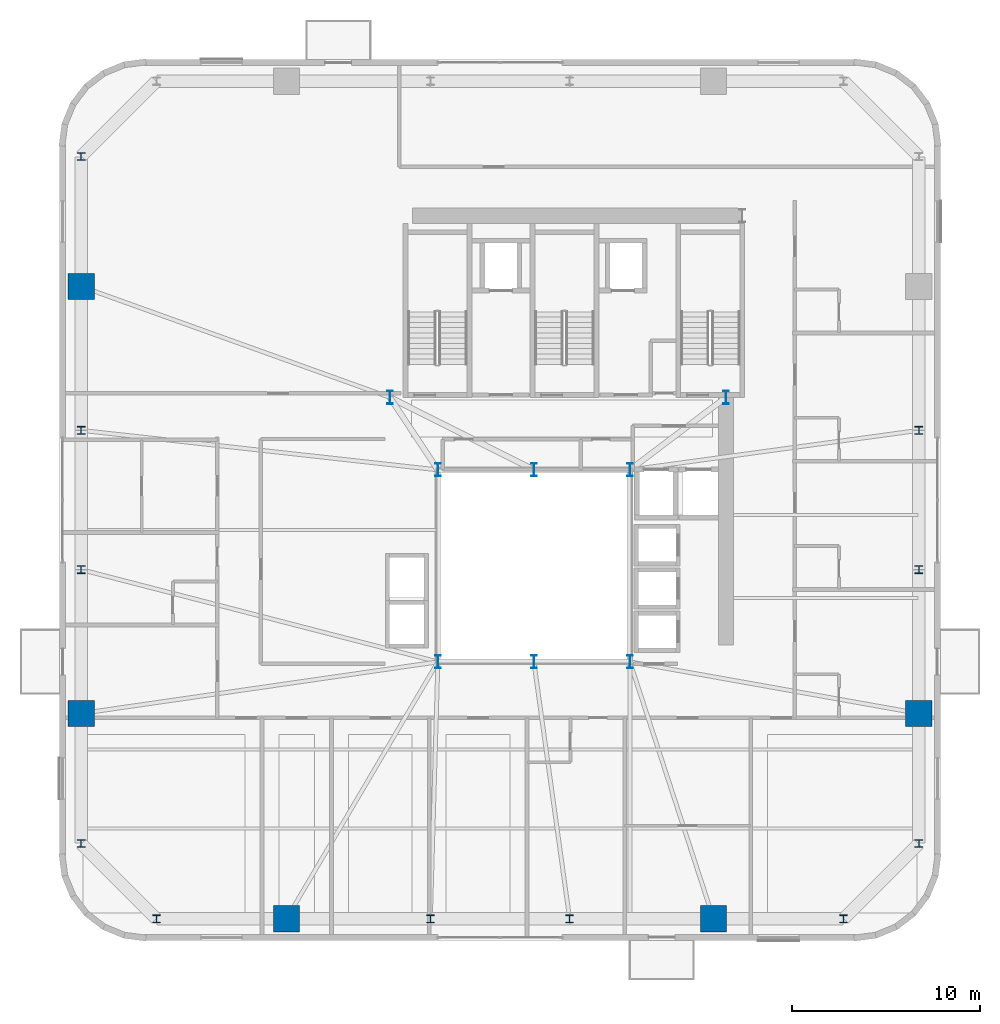
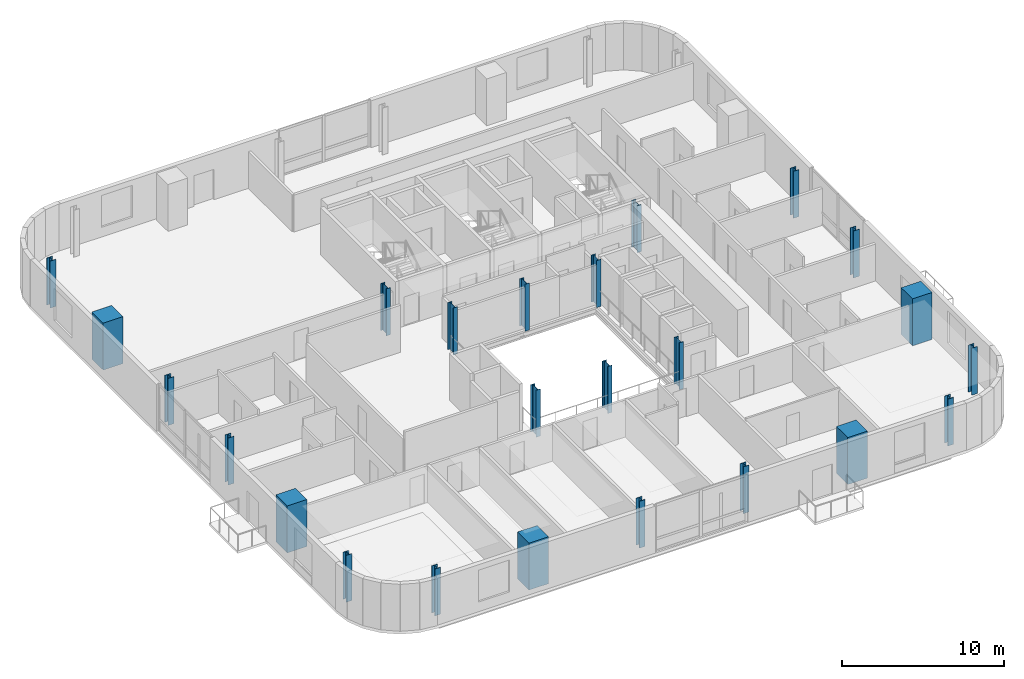
# One storey, part 1 of 16: 24 columns.
"""IFC4 building model written with IfcOpenShell, lengths in metres."""

from ifc_helpers import new_model, si_unit, direction, frame, origin, origin_2d, place, context, subcontext, project, spatial, rectangle, i_section, extrude, source, transform, mapped, material, material_profile, profile_set, type_object, element, save


model = new_model("IFC4")

# Units and contexts
model_context = context("Model", 3, precision=1e-05, world=origin(), true_north=direction((0.0, 1.0)))
body_context = subcontext(model_context, "Body", "Model", "MODEL_VIEW")
ifc_project = project(units=[si_unit("LENGTHUNIT", "METRE"), si_unit("AREAUNIT", "SQUARE_METRE"), si_unit("VOLUMEUNIT", "CUBIC_METRE"), si_unit("PLANEANGLEUNIT", "RADIAN"), si_unit("MASSUNIT", "GRAM", prefix="KILO")], contexts=[model_context])

# Site, building, storey
site_placement = place(None, origin())
site = spatial("IfcSite", under=ifc_project, at=site_placement, CompositionType="ELEMENT")
building_placement = place(site_placement, origin())
building = spatial("IfcBuilding", under=site, at=building_placement, Name="Vardaveli Station Tower", CompositionType="ELEMENT")
storey_placement = place(building_placement, frame((0.0, 0.0, 199.800048828125)))
storey = spatial("IfcBuildingStorey", under=building, at=storey_placement, Name="L51", CompositionType="ELEMENT", Elevation=199.800048828125)

# Columns
ifc_material_1 = material(Name="Structural steel S460M", Category="steel")
ifc_material_profile_1 = material_profile(ifc_material_1, i_section(OverallWidth=0.300048828125, OverallDepth=0.699951171875, WebThickness=0.01708984375, FlangeThickness=0.031982421875, FilletRadius=0.027099609375, at=origin_2d()), Name="HEB 700")
ifc_profile_set_1 = profile_set([ifc_material_profile_1], Name="Structural steel S460M")
column_type_1 = type_object("IfcColumnType", Name="COL-HEB700", PredefinedType="COLUMN", material=ifc_profile_set_1)
shared_shape_1 = source(origin(), body_context, "Body", "SweptSolid", [
    extrude(i_section(OverallWidth=0.300048828125, OverallDepth=0.699951171875, WebThickness=0.01708984375, FlangeThickness=0.031982421875, FilletRadius=0.027099609375, at=origin_2d()), origin(), (0.0, 0.0, 1.0), 3.530029296875),
])
for number, where, z_axis, x_axis, name in (
    (1, (31.199951171875, 16.60009765625, 0.0), (0.0, 0.0, 1.0), (1.0, 0.0, 0.0), "COL-L51-AC1"),
    (2, (36.300048828125, 16.60009765625, 0.0), (0.0, 0.0, 1.0), (1.0, 0.0, 0.0), "COL-L51-AC2"),
    (3, (41.39990234375, 16.60009765625, 0.0), (0.0, 0.0, 1.0), (1.0, 0.0, 0.0), "COL-L51-AC3"),
    (4, (41.39990234375, 26.800048828125, 0.0), (0.0, 0.0, 1.0), (1.0, 0.0, 0.0), "COL-L51-AC4"),
    (5, (36.300048828125, 26.800048828125, 0.0), (0.0, 0.0, 1.0), (1.0, 0.0, 0.0), "COL-L51-AC5"),
    (6, (31.199951171875, 26.800048828125, 0.0), (0.0, 0.0, 1.0), (1.0, 0.0, 0.0), "COL-L51-AC6"),
    (7, (28.64990234375, 30.64990234375, 0.0), (0.0, 0.0, 1.0), (1.0, 0.0, 0.0), "COL-L51-CC1"),
    (8, (46.5, 30.64990234375, 0.0), (0.0, 0.0, 1.0), (1.0, 0.0, 0.0), "COL-L51-CC2"),
):
    element("IfcColumn", number, at=place(storey_placement, frame(where, z_axis=z_axis, x_axis=x_axis)), inside=storey, type_object=column_type_1, Name=name, PredefinedType="COLUMN", context=body_context, shape_type="MappedRepresentation", body=[
        mapped(shared_shape_1, transform((0.0, 0.0, 0.0), scale=1.0)),
    ])
ifc_material_2 = material(Name="Concrete C50/60", Category="concrete")
ifc_material_profile_2 = material_profile(ifc_material_2, rectangle(XDim=1.39990234375, YDim=1.39990234375, at=origin_2d()), Name="MC 1400x1400")
ifc_profile_set_2 = profile_set([ifc_material_profile_2], Name="Concrete C50/60")
column_type_2 = type_object("IfcColumnType", Name="COL-MC-1400", PredefinedType="COLUMN", material=ifc_profile_set_2)
shared_shape_2 = source(origin(), body_context, "Body", "SweptSolid", [
    extrude(rectangle(XDim=1.39990234375, YDim=1.39990234375, at=origin_2d()), origin(), (0.0, 0.0, 1.0), 3.530029296875),
])
for number, where, z_axis, x_axis, name in (
    (9, (23.159912109375, 2.949951171875, 0.0), (0.0, 0.0, 1.0), (1.0, 0.0, 0.0), "COL-L51-MC1"),
    (10, (45.840087890625, 2.949951171875, 0.0), (0.0, 0.0, 1.0), (1.0, 0.0, 0.0), "COL-L51-MC2"),
    (11, (56.75, 13.860107421875, 0.0), (0.0, 0.0, 1.0), (1.0, 0.0, 0.0), "COL-L51-MC3"),
    (12, (12.25, 36.5400390625, 0.0), (0.0, 0.0, 1.0), (1.0, 0.0, 0.0), "COL-L51-MC7"),
    (13, (12.25, 13.860107421875, 0.0), (0.0, 0.0, 1.0), (1.0, 0.0, 0.0), "COL-L51-MC8"),
):
    element("IfcColumn", number, at=place(storey_placement, frame(where, z_axis=z_axis, x_axis=x_axis)), inside=storey, type_object=column_type_2, Name=name, PredefinedType="COLUMN", context=body_context, shape_type="MappedRepresentation", body=[
        mapped(shared_shape_2, transform((0.0, 0.0, 0.0), scale=1.0)),
    ])
ifc_material_profile_3 = material_profile(ifc_material_1, i_section(OverallWidth=0.408935546875, OverallDepth=0.4169921875, WebThickness=0.021240234375, FlangeThickness=0.033203125, FilletRadius=0.014892578125, at=origin_2d()), Name="HD 400x347")
ifc_profile_set_3 = profile_set([ifc_material_profile_3], Name="Structural steel S460M")
column_type_3 = type_object("IfcColumnType", Name="COL-HD347", PredefinedType="COLUMN", material=ifc_profile_set_3)
shared_shape_3 = source(origin(), body_context, "Body", "SweptSolid", [
    extrude(i_section(OverallWidth=0.408935546875, OverallDepth=0.4169921875, WebThickness=0.021240234375, FlangeThickness=0.033203125, FilletRadius=0.014892578125, at=origin_2d()), origin(), (0.0, 0.0, 1.0), 3.530029296875),
])
for number, where, z_axis, x_axis, name in (
    (14, (16.25, 2.949951171875, 0.0), (0.0, 0.0, 1.0), (1.0, 0.0, 0.0), "COL-L51-PC01"),
    (15, (30.800048828125, 2.949951171875, 0.0), (0.0, 0.0, 1.0), (1.0, 0.0, 0.0), "COL-L51-PC02"),
    (16, (38.199951171875, 2.949951171875, 0.0), (0.0, 0.0, 1.0), (1.0, 0.0, 0.0), "COL-L51-PC03"),
    (17, (52.75, 2.949951171875, 0.0), (0.0, 0.0, 1.0), (1.0, 0.0, 0.0), "COL-L51-PC04"),
    (18, (56.75, 6.949951171875, 0.0), (0.0, 0.0, 1.0), (1.0, 0.0, 0.0), "COL-L51-PC05"),
    (19, (56.75, 21.5, 0.0), (0.0, 0.0, 1.0), (1.0, 0.0, 0.0), "COL-L51-PC06"),
    (20, (56.75, 28.89990234375, 0.0), (0.0, 0.0, 1.0), (1.0, 0.0, 0.0), "COL-L51-PC07"),
    (21, (12.25, 43.449951171875, 0.0), (0.0, 0.0, 1.0), (1.0, 0.0, 0.0), "COL-L51-PC13"),
    (22, (12.25, 28.89990234375, 0.0), (0.0, 0.0, 1.0), (1.0, 0.0, 0.0), "COL-L51-PC14"),
    (23, (12.25, 21.5, 0.0), (0.0, 0.0, 1.0), (1.0, 0.0, 0.0), "COL-L51-PC15"),
    (24, (12.25, 6.949951171875, 0.0), (0.0, 0.0, 1.0), (1.0, 0.0, 0.0), "COL-L51-PC16"),
):
    element("IfcColumn", number, at=place(storey_placement, frame(where, z_axis=z_axis, x_axis=x_axis)), inside=storey, type_object=column_type_3, Name=name, PredefinedType="COLUMN", context=body_context, shape_type="MappedRepresentation", body=[
        mapped(shared_shape_3, transform((0.0, 0.0, 0.0), scale=1.0)),
    ])

save(model, "model.ifc")
